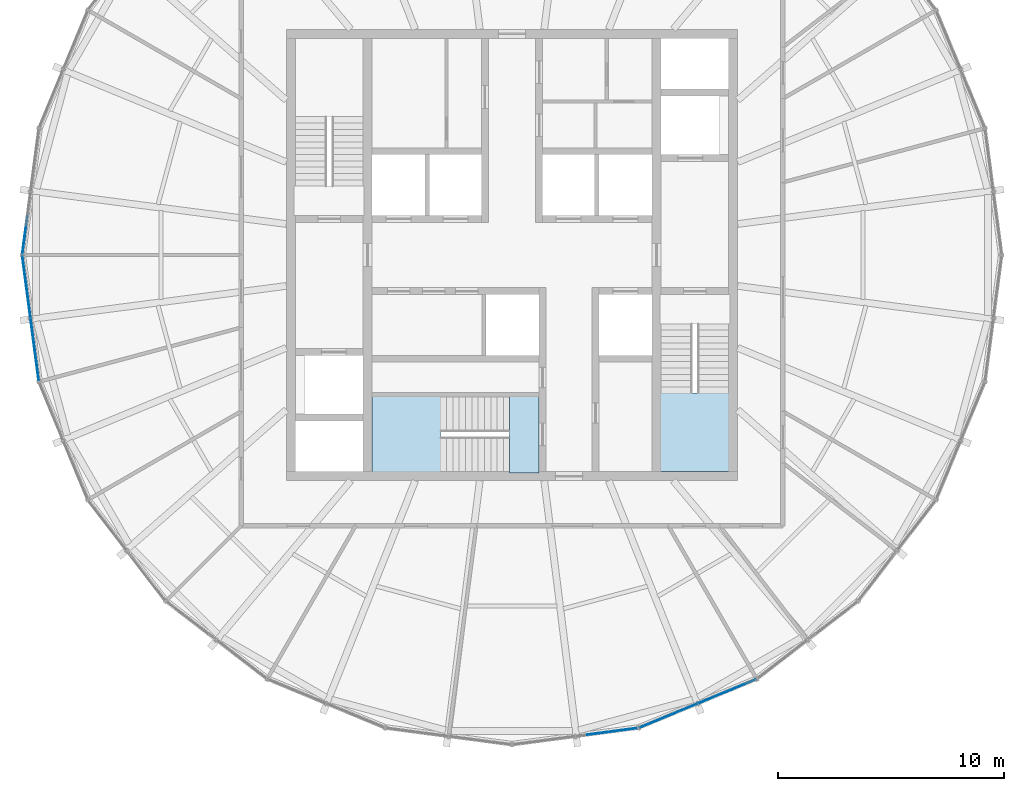
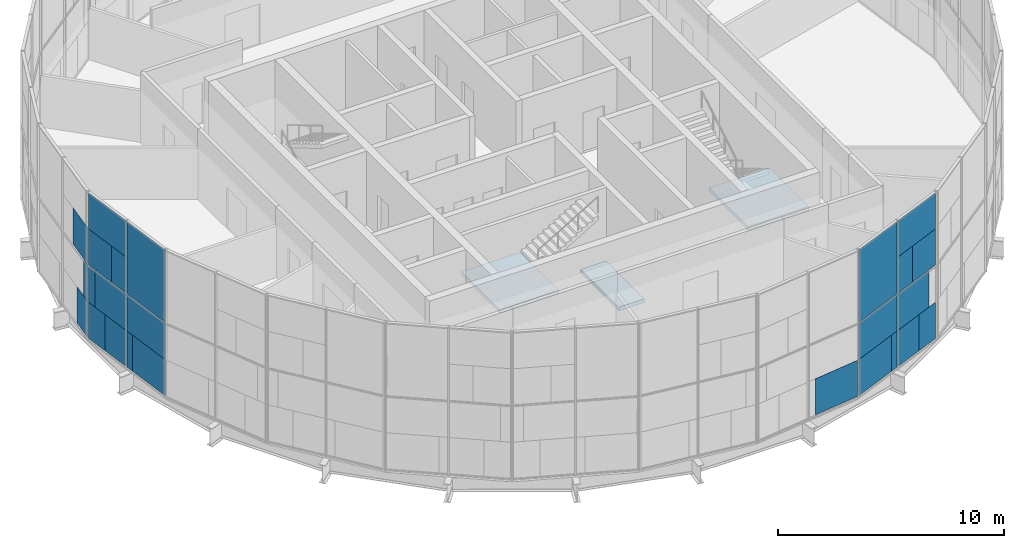
# One storey, part 9 of 18: 25 plates, 3 slabs, 6 elements without a shape of their own.
"""IFC4 building model written with IfcOpenShell, lengths in metres."""

from ifc_helpers import new_model, si_unit, direction, frame, origin, origin_2d, place, context, subcontext, project, spatial, polyline, rectangle, outline, extrude, material, layer, layer_set, type_object, element, aggregate, save


model = new_model("IFC4")

# Units and contexts
model_context = context("Model", 3, precision=1e-05, world=origin(), true_north=direction((0.0, 1.0)))
body_context = subcontext(model_context, "Body", "Model", "MODEL_VIEW")
ifc_project = project(units=[si_unit("LENGTHUNIT", "METRE"), si_unit("AREAUNIT", "SQUARE_METRE"), si_unit("VOLUMEUNIT", "CUBIC_METRE"), si_unit("PLANEANGLEUNIT", "RADIAN"), si_unit("MASSUNIT", "GRAM", prefix="KILO")], contexts=[model_context])

# Site, building, storey
site_placement = place(None, origin())
site = spatial("IfcSite", under=ifc_project, at=site_placement, CompositionType="ELEMENT")
building_placement = place(site_placement, origin())
building = spatial("IfcBuilding", under=site, at=building_placement, Name="Golbaran Civic Tower", CompositionType="ELEMENT")
storey_placement = place(building_placement, frame((0.0, 0.0, 272.0)))
storey = spatial("IfcBuildingStorey", under=building, at=storey_placement, Name="L66", CompositionType="ELEMENT", Elevation=272.0)

# Curtain wall, plates
ifc_material_1 = material(Name="Aluminium and glass", Category="aluminium")
curtain_wall_type = type_object("IfcCurtainWallType", Name="INNER SKIN CURTAIN WALL EXECUTIVE", PredefinedType="NOTDEFINED", material=ifc_material_1)
curtain_wall_1_placement = place(storey_placement, origin())
curtain_wall_1 = element("IfcCurtainWall", 1, at=curtain_wall_1_placement, inside=storey, type_object=curtain_wall_type, Name="Inner skin L66 facet 12 CW2", ObjectType="INNER SKIN", PredefinedType="USERDEFINED")
ifc_material_2 = material(Name="Clear insulating glass", Category="glass")
ifc_layer_1 = layer(ifc_material_2, 0.031982421875, Name="Clear insulating glass")
ifc_layer_set_1 = layer_set([ifc_layer_1], Name="Clear insulating glass")
plate_type_1 = type_object("IfcPlateType", Name="INNER SKIN CURTAIN WALL EXECUTIVE GLAZED PANEL", PredefinedType="CURTAIN_PANEL", material=ifc_layer_set_1)
plate_1_placement = place(storey_placement, frame((-21.614013671875, 0.64599609375, 0.06005859375), z_axis=(0.0, 0.0, 1.0), x_axis=(-0.130526192151, -0.991444861383, 0.0)))
plate_1 = element("IfcPlate", 2, at=plate_1_placement, type_object=plate_type_1, Name="CW2 panel 2.1 part 2", PredefinedType="CURTAIN_PANEL", context=body_context, shape_type="SweptSolid", body=[
    extrude(rectangle(XDim=1.183349609375, YDim=0.031982421875, at=origin_2d()), origin(), (0.0, 0.0, 1.0), 1.955078125),
])
plate_2_placement = place(storey_placement, frame((-21.6611328125, 0.28759765625, 2.014892578125), z_axis=(0.0, 0.0, 1.0), x_axis=(-0.130526192151, -0.991444861383, 0.0)))
plate_2 = element("IfcPlate", 3, at=plate_2_placement, type_object=plate_type_1, Name="CW2 panel 2.1 part 4", PredefinedType="CURTAIN_PANEL", context=body_context, shape_type="SweptSolid", body=[
    extrude(rectangle(XDim=0.460205078125, YDim=0.031982421875, at=origin_2d()), origin(), (0.0, 0.0, 1.0), 1.955078125),
])

curtain_wall_2_placement = place(storey_placement, origin())
curtain_wall_2 = element("IfcCurtainWall", 4, at=curtain_wall_2_placement, inside=storey, type_object=curtain_wall_type, Name="Inner skin L66 facet 13 CW2", ObjectType="INNER SKIN", PredefinedType="USERDEFINED")
plate_3_placement = place(storey_placement, frame((-21.614013671875, -0.64599609375, 0.06005859375), z_axis=(0.0, 0.0, 1.0), x_axis=(0.130526192151, -0.991444861383, 0.0)))
plate_3 = element("IfcPlate", 5, at=plate_3_placement, type_object=plate_type_1, Name="CW2 panel 1.1 part 1", PredefinedType="CURTAIN_PANEL", context=body_context, shape_type="SweptSolid", body=[
    extrude(rectangle(XDim=1.18310546875, YDim=0.031982421875, at=origin_2d()), origin(), (0.0, 0.0, 1.0), 1.955078125),
])
plate_4_placement = place(storey_placement, frame((-21.6611328125, -0.28759765625, 2.014892578125), z_axis=(0.0, 0.0, 1.0), x_axis=(0.130526192151, -0.991444861383, 0.0)))
plate_4 = element("IfcPlate", 6, at=plate_4_placement, type_object=plate_type_1, Name="CW2 panel 1.1 part 3", PredefinedType="CURTAIN_PANEL", context=body_context, shape_type="SweptSolid", body=[
    extrude(rectangle(XDim=0.4599609375, YDim=0.031982421875, at=origin_2d()), origin(), (0.0, 0.0, 1.0), 1.955078125),
])
plate_5_placement = place(storey_placement, frame((-21.403076171875, -2.247314453125, 4.030029296875), z_axis=(0.0, 0.0, 1.0), x_axis=(0.130526192151, -0.991444861383, 0.0)))
plate_5 = element("IfcPlate", 7, at=plate_5_placement, type_object=plate_type_1, Name="CW2 panel 1.2 part 2", PredefinedType="CURTAIN_PANEL", context=body_context, shape_type="SweptSolid", body=[
    extrude(rectangle(XDim=1.0712890625, YDim=0.031982421875, at=origin_2d()), origin(), (0.0, 0.0, 1.0), 1.955078125),
])
plate_6_placement = place(storey_placement, frame((-21.120361328125, -4.39599609375, 0.06005859375), z_axis=(0.0, 0.0, 1.0), x_axis=(0.130526192151, -0.991444861383, 0.0)))
plate_6 = element("IfcPlate", 8, at=plate_6_placement, type_object=plate_type_1, Name="CW2 panel 2.1 part 2", PredefinedType="CURTAIN_PANEL", context=body_context, shape_type="SweptSolid", body=[
    extrude(rectangle(XDim=2.34130859375, YDim=0.031982421875, at=origin_2d()), origin(), (0.0, 0.0, 1.0), 1.955078125),
])
plate_7_placement = place(storey_placement, frame((-21.146484375, -4.197265625, 2.014892578125), z_axis=(0.0, 0.0, 1.0), x_axis=(0.130526192151, -0.991444861383, 0.0)))
plate_7 = element("IfcPlate", 9, at=plate_7_placement, type_object=plate_type_1, Name="CW2 panel 2.1 part 3", PredefinedType="CURTAIN_PANEL", context=body_context, shape_type="SweptSolid", body=[
    extrude(rectangle(XDim=2.7421875, YDim=0.031982421875, at=origin_2d()), origin(), (0.0, 0.0, 1.0), 1.955078125),
])
plate_8_placement = place(storey_placement, frame((-21.146484375, -4.197265625, 4.0302734375), z_axis=(0.0, 0.0, 1.0), x_axis=(0.130526192151, -0.991444861383, 0.0)))
plate_8 = element("IfcPlate", 10, at=plate_8_placement, type_object=plate_type_1, Name="CW2 panel 2.2", PredefinedType="CURTAIN_PANEL", context=body_context, shape_type="SweptSolid", body=[
    extrude(rectangle(XDim=2.7421875, YDim=0.031982421875, at=origin_2d()), origin(), (0.0, 0.0, 1.0), 3.909912109375),
])

# Curtain wall, plate
curtain_wall_3_placement = place(storey_placement, origin())
curtain_wall_3 = element("IfcCurtainWall", 11, at=curtain_wall_3_placement, inside=storey, type_object=curtain_wall_type, Name="Inner skin L66 facet 19 CW2", ObjectType="INNER SKIN", PredefinedType="USERDEFINED")
plate_9_placement = place(storey_placement, frame((4.39599609375, -21.120361328125, 0.06005859375), z_axis=(0.0, 0.0, 1.0), x_axis=(0.991444861383, 0.130526192151, 0.0)))
plate_9 = element("IfcPlate", 12, at=plate_9_placement, type_object=plate_type_1, Name="CW2 panel 2.1 part 2", PredefinedType="CURTAIN_PANEL", context=body_context, shape_type="SweptSolid", body=[
    extrude(rectangle(XDim=2.34130859375, YDim=0.031982421875, at=origin_2d()), origin(), (0.0, 0.0, 1.0), 1.955078125),
])
aggregate(curtain_wall_3, [plate_9])

# Curtain wall, plates
curtain_wall_4_placement = place(storey_placement, origin())
curtain_wall_4 = element("IfcCurtainWall", 13, at=curtain_wall_4_placement, inside=storey, type_object=curtain_wall_type, Name="Inner skin L66 facet 20 CW2", ObjectType="INNER SKIN", PredefinedType="USERDEFINED")
plate_10_placement = place(storey_placement, frame((6.7529296875, -20.48876953125, 0.06005859375), z_axis=(0.0, 0.0, 1.0), x_axis=(0.923879532498, 0.382683432397, 0.0)))
plate_10 = element("IfcPlate", 14, at=plate_10_placement, type_object=plate_type_1, Name="CW2 panel 1.1 part 1", PredefinedType="CURTAIN_PANEL", context=body_context, shape_type="SweptSolid", body=[
    extrude(rectangle(XDim=2.341064453125, YDim=0.031982421875, at=origin_2d()), origin(), (0.0, 0.0, 1.0), 1.955078125),
])
plate_11_placement = place(storey_placement, frame((6.938232421875, -20.411865234375, 2.014892578125), z_axis=(0.0, 0.0, 1.0), x_axis=(0.923879532498, 0.382683432397, 0.0)))
plate_11 = element("IfcPlate", 15, at=plate_11_placement, type_object=plate_type_1, Name="CW2 panel 1.1 part 3", PredefinedType="CURTAIN_PANEL", context=body_context, shape_type="SweptSolid", body=[
    extrude(rectangle(XDim=2.7421875, YDim=0.031982421875, at=origin_2d()), origin(), (0.0, 0.0, 1.0), 1.955078125),
])
plate_12_placement = place(storey_placement, frame((6.938232421875, -20.411865234375, 4.0302734375), z_axis=(0.0, 0.0, 1.0), x_axis=(0.923879532498, 0.382683432397, 0.0)))
plate_12 = element("IfcPlate", 16, at=plate_12_placement, type_object=plate_type_1, Name="CW2 panel 1.2", PredefinedType="CURTAIN_PANEL", context=body_context, shape_type="SweptSolid", body=[
    extrude(rectangle(XDim=2.7421875, YDim=0.031982421875, at=origin_2d()), origin(), (0.0, 0.0, 1.0), 3.909912109375),
])
plate_13_placement = place(storey_placement, frame((10.24755859375, -19.041259765625, 0.06005859375), z_axis=(0.0, 0.0, 1.0), x_axis=(0.923879532498, 0.382683432397, 0.0)))
plate_13 = element("IfcPlate", 17, at=plate_13_placement, type_object=plate_type_1, Name="CW2 panel 2.1 part 2", PredefinedType="CURTAIN_PANEL", context=body_context, shape_type="SweptSolid", body=[
    extrude(rectangle(XDim=1.183349609375, YDim=0.031982421875, at=origin_2d()), origin(), (0.0, 0.0, 1.0), 1.955078125),
])
plate_14_placement = place(storey_placement, frame((8.75537109375, -19.659423828125, 4.030029296875), z_axis=(0.0, 0.0, 1.0), x_axis=(0.923879532498, 0.382683432397, 0.0)))
plate_14 = element("IfcPlate", 18, at=plate_14_placement, type_object=plate_type_1, Name="CW2 panel 2.2 part 1", PredefinedType="CURTAIN_PANEL", context=body_context, shape_type="SweptSolid", body=[
    extrude(rectangle(XDim=1.071044921875, YDim=0.031982421875, at=origin_2d()), origin(), (0.0, 0.0, 1.0), 1.955078125),
])

# Plate
ifc_material_3 = material(Name="Aluminium faced opaque infill panel", Category="aluminium")
ifc_layer_2 = layer(ifc_material_3, 0.031982421875, Name="Aluminium faced opaque infill panel")
ifc_layer_set_2 = layer_set([ifc_layer_2], Name="Aluminium faced opaque infill panel")
plate_type_2 = type_object("IfcPlateType", Name="INNER SKIN CURTAIN WALL EXECUTIVE OPAQUE INFILL PANEL", PredefinedType="CURTAIN_PANEL", material=ifc_layer_set_2)
plate_15_placement = place(storey_placement, frame((-21.58203125, 0.887939453125, 4.030029296875), z_axis=(0.0, 0.0, 1.0), x_axis=(-0.130526192151, -0.991444861383, 0.0)))
plate_15 = element("IfcPlate", 19, at=plate_15_placement, type_object=plate_type_2, Name="CW2 infill panel 2.2 part 2", PredefinedType="CURTAIN_PANEL", context=body_context, shape_type="SweptSolid", body=[
    extrude(rectangle(XDim=1.67138671875, YDim=0.031982421875, at=origin_2d()), origin(), (0.0, 0.0, 1.0), 1.955078125),
])

aggregate(curtain_wall_1, [plate_1, plate_2, plate_15])

plate_16_placement = place(storey_placement, frame((-21.43505859375, -2.00537109375, 0.06005859375), z_axis=(0.0, 0.0, 1.0), x_axis=(0.130526192151, -0.991444861383, 0.0)))
plate_16 = element("IfcPlate", 20, at=plate_16_placement, type_object=plate_type_2, Name="CW2 infill panel 1.1 part 2", PredefinedType="CURTAIN_PANEL", context=body_context, shape_type="SweptSolid", body=[
    extrude(rectangle(XDim=1.559326171875, YDim=0.031982421875, at=origin_2d()), origin(), (0.0, 0.0, 1.0), 1.955078125),
])

plate_17_placement = place(storey_placement, frame((-21.482177734375, -1.64697265625, 2.014892578125), z_axis=(0.0, 0.0, 1.0), x_axis=(0.130526192151, -0.991444861383, 0.0)))
plate_17 = element("IfcPlate", 21, at=plate_17_placement, type_object=plate_type_2, Name="CW2 infill panel 1.1 part 4", PredefinedType="CURTAIN_PANEL", context=body_context, shape_type="SweptSolid", body=[
    extrude(rectangle(XDim=2.2822265625, YDim=0.031982421875, at=origin_2d()), origin(), (0.0, 0.0, 1.0), 1.955078125),
])

plate_18_placement = place(storey_placement, frame((-21.58203125, -0.887939453125, 4.030029296875), z_axis=(0.0, 0.0, 1.0), x_axis=(0.130526192151, -0.991444861383, 0.0)))
plate_18 = element("IfcPlate", 22, at=plate_18_placement, type_object=plate_type_2, Name="CW2 infill panel 1.2 part 1", PredefinedType="CURTAIN_PANEL", context=body_context, shape_type="SweptSolid", body=[
    extrude(rectangle(XDim=1.6708984375, YDim=0.031982421875, at=origin_2d()), origin(), (0.0, 0.0, 1.0), 1.955078125),
])

plate_19_placement = place(storey_placement, frame((-21.51220703125, -1.4189453125, 5.98486328125), z_axis=(0.0, 0.0, 1.0), x_axis=(0.130526192151, -0.991444861383, 0.0)))
plate_19 = element("IfcPlate", 23, at=plate_19_placement, type_object=plate_type_2, Name="CW2 infill panel 1.2 part 3", PredefinedType="CURTAIN_PANEL", context=body_context, shape_type="SweptSolid", body=[
    extrude(rectangle(XDim=2.7421875, YDim=0.031982421875, at=origin_2d()), origin(), (0.0, 0.0, 1.0), 1.955078125),
])

plate_20_placement = place(storey_placement, frame((-21.29931640625, -3.03662109375, 0.06005859375), z_axis=(0.0, 0.0, 1.0), x_axis=(0.130526192151, -0.991444861383, 0.0)))
plate_20 = element("IfcPlate", 24, at=plate_20_placement, type_object=plate_type_2, Name="CW2 infill panel 2.1 part 1", PredefinedType="CURTAIN_PANEL", context=body_context, shape_type="SweptSolid", body=[
    extrude(rectangle(XDim=0.40087890625, YDim=0.031982421875, at=origin_2d()), origin(), (0.0, 0.0, 1.0), 1.955078125),
])

aggregate(curtain_wall_2, [plate_3, plate_16, plate_4, plate_17, plate_18, plate_5, plate_19, plate_20, plate_6, plate_7, plate_8])

plate_21_placement = place(storey_placement, frame((8.019775390625, -19.964111328125, 0.06005859375), z_axis=(0.0, 0.0, 1.0), x_axis=(0.923879532498, 0.382683432397, 0.0)))
plate_21 = element("IfcPlate", 25, at=plate_21_placement, type_object=plate_type_2, Name="CW2 infill panel 1.1 part 2", PredefinedType="CURTAIN_PANEL", context=body_context, shape_type="SweptSolid", body=[
    extrude(rectangle(XDim=0.4013671875, YDim=0.031982421875, at=origin_2d()), origin(), (0.0, 0.0, 1.0), 1.955078125),
])

plate_22_placement = place(storey_placement, frame((8.980712890625, -19.56591796875, 0.06005859375), z_axis=(0.0, 0.0, 1.0), x_axis=(0.923879532498, 0.382683432397, 0.0)))
plate_22 = element("IfcPlate", 26, at=plate_22_placement, type_object=plate_type_2, Name="CW2 infill panel 2.1 part 1", PredefinedType="CURTAIN_PANEL", context=body_context, shape_type="SweptSolid", body=[
    extrude(rectangle(XDim=1.55908203125, YDim=0.031982421875, at=origin_2d()), origin(), (0.0, 0.0, 1.0), 1.955078125),
])

plate_23_placement = place(storey_placement, frame((9.314697265625, -19.427734375, 2.014892578125), z_axis=(0.0, 0.0, 1.0), x_axis=(0.923879532498, 0.382683432397, 0.0)))
plate_23 = element("IfcPlate", 27, at=plate_23_placement, type_object=plate_type_2, Name="CW2 infill panel 2.1 part 3", PredefinedType="CURTAIN_PANEL", context=body_context, shape_type="SweptSolid", body=[
    extrude(rectangle(XDim=2.281982421875, YDim=0.031982421875, at=origin_2d()), origin(), (0.0, 0.0, 1.0), 1.955078125),
])

plate_24_placement = place(storey_placement, frame((10.02197265625, -19.134521484375, 4.030029296875), z_axis=(0.0, 0.0, 1.0), x_axis=(0.923879532498, 0.382683432397, 0.0)))
plate_24 = element("IfcPlate", 28, at=plate_24_placement, type_object=plate_type_2, Name="CW2 infill panel 2.2 part 2", PredefinedType="CURTAIN_PANEL", context=body_context, shape_type="SweptSolid", body=[
    extrude(rectangle(XDim=1.67138671875, YDim=0.031982421875, at=origin_2d()), origin(), (0.0, 0.0, 1.0), 1.955078125),
])

plate_25_placement = place(storey_placement, frame((9.52734375, -19.339599609375, 5.98486328125), z_axis=(0.0, 0.0, 1.0), x_axis=(0.923879532498, 0.382683432397, 0.0)))
plate_25 = element("IfcPlate", 29, at=plate_25_placement, type_object=plate_type_2, Name="CW2 infill panel 2.2 part 3", PredefinedType="CURTAIN_PANEL", context=body_context, shape_type="SweptSolid", body=[
    extrude(rectangle(XDim=2.7421875, YDim=0.031982421875, at=origin_2d()), origin(), (0.0, 0.0, 1.0), 1.955078125),
])

aggregate(curtain_wall_4, [plate_10, plate_21, plate_11, plate_12, plate_22, plate_13, plate_23, plate_14, plate_24, plate_25])

# Stair, slab
ifc_material_4 = material(Name="Concrete C35/45", Category="concrete")
stair_type_1 = type_object("IfcStairType", Name="EXIT STAIR 3000 x 7850, 4000 RISE", PredefinedType="HALF_TURN_STAIR", material=ifc_material_4)
stair_1_placement = place(storey_placement, origin())
stair_1 = element("IfcStair", 30, at=stair_1_placement, inside=storey, type_object=stair_type_1, Name="Stair S2 L66", PredefinedType="HALF_TURN_STAIR")
ifc_layer_3 = layer(ifc_material_4, 0.199951171875, Name="Concrete C35/45")
ifc_layer_set_3 = layer_set([ifc_layer_3], Name="Concrete C35/45")
slab_type = type_object("IfcSlabType", Name="STAIR LANDING 200", PredefinedType="LANDING", material=ifc_layer_set_3)
slab_1_placement = place(storey_placement, frame((0.0, 0.0, 1.800048828125)))
slab_1 = element("IfcSlab", 31, at=slab_1_placement, type_object=slab_type, Name="ST30078-40 landing 1", PredefinedType="LANDING", context=body_context, shape_type="SweptSolid", body=[
    extrude(outline(polyline([(9.64990234375, -6.125), (9.64990234375, -9.60009765625), (6.550048828125, -9.60009765625), (6.550048828125, -6.125), (9.64990234375, -6.125)])), origin(), (0.0, 0.0, 1.0), 0.199951171875),
])
aggregate(stair_1, [slab_1])

stair_type_2 = type_object("IfcStairType", Name="EXIT STAIR 3300 x 7400, 4000 RISE", PredefinedType="HALF_TURN_STAIR", material=ifc_material_4)
stair_2_placement = place(storey_placement, origin())
stair_2 = element("IfcStair", 32, at=stair_2_placement, inside=storey, type_object=stair_type_2, Name="Stair S3 L66", PredefinedType="HALF_TURN_STAIR")
slab_2_placement = place(storey_placement, frame((0.0, 0.0, 1.800048828125)))
slab_2 = element("IfcSlab", 33, at=slab_2_placement, type_object=slab_type, Name="ST33074-40 landing 1", PredefinedType="LANDING", context=body_context, shape_type="SweptSolid", body=[
    extrude(outline(polyline([(-3.175048828125, -9.64990234375), (-6.199951171875, -9.64990234375), (-6.199951171875, -6.25), (-3.175048828125, -6.25), (-3.175048828125, -9.64990234375)])), origin(), (0.0, 0.0, 1.0), 0.199951171875),
])
aggregate(stair_2, [slab_2])

# Slab
slab_3_placement = place(storey_placement, frame((0.0, 0.0, -0.199951171875)))
element("IfcSlab", 34, at=slab_3_placement, inside=storey, type_object=slab_type, Name="Stair S3 floor landing L66", PredefinedType="LANDING", context=body_context, shape_type="SweptSolid", body=[
    extrude(outline(polyline([(1.199951171875, -9.64990234375), (-0.10498046875, -9.64990234375), (-0.10498046875, -6.25), (1.199951171875, -6.25), (1.199951171875, -9.64990234375)])), origin(), (0.0, 0.0, 1.0), 0.199951171875),
])

save(model, "model.ifc")
